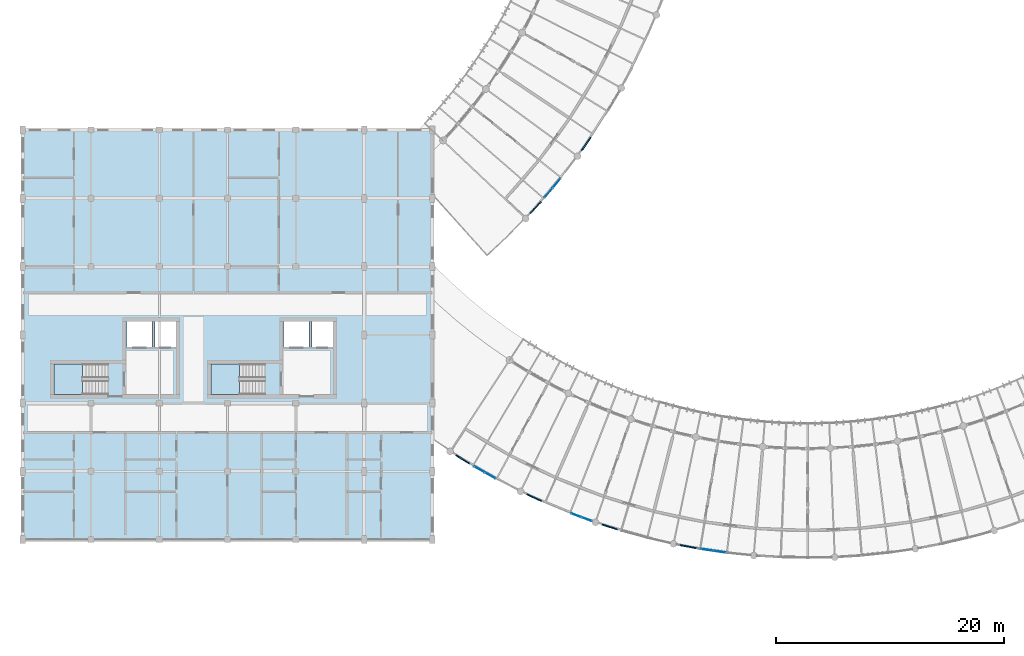
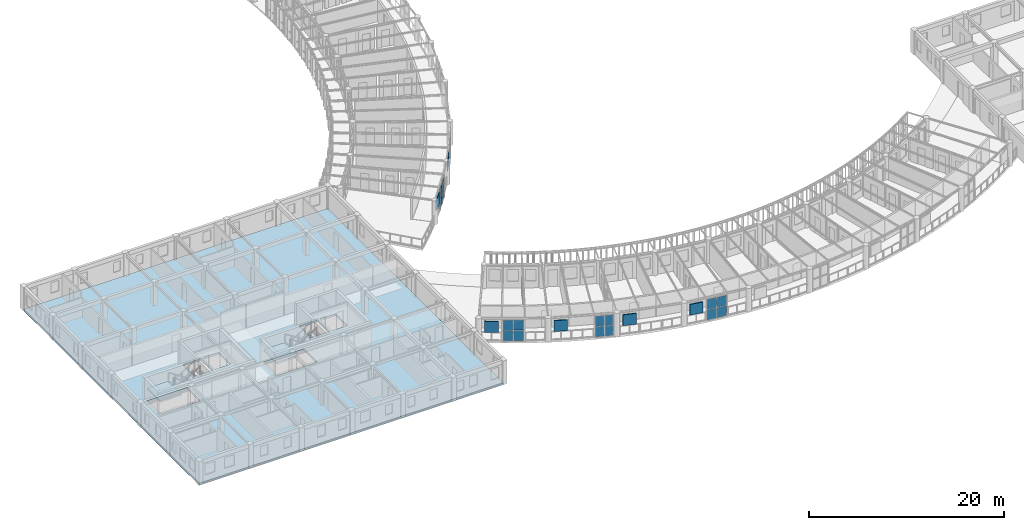
# One storey, part 44 of 101: 22 plates, 3 slabs, 6 elements without a shape of their own.
"""IFC4 building model written with IfcOpenShell, lengths in metres."""

from ifc_helpers import new_model, si_unit, direction, frame, origin, origin_2d, place, context, subcontext, project, spatial, polyline, rectangle, outline, extrude, material, layer, layer_set, type_object, element, aggregate, save


model = new_model("IFC4")

# Units and contexts
model_context = context("Model", 3, precision=1e-05, world=origin(), true_north=direction((0.0, 1.0)))
body_context = subcontext(model_context, "Body", "Model", "MODEL_VIEW")
ifc_project = project(units=[si_unit("LENGTHUNIT", "METRE"), si_unit("AREAUNIT", "SQUARE_METRE"), si_unit("VOLUMEUNIT", "CUBIC_METRE"), si_unit("PLANEANGLEUNIT", "RADIAN"), si_unit("MASSUNIT", "GRAM", prefix="KILO"), si_unit("POWERUNIT", "WATT"), si_unit("THERMODYNAMICTEMPERATUREUNIT", "KELVIN")], contexts=[model_context])

# Site, building, storey
site_placement = place(None, origin())
site = spatial("IfcSite", under=ifc_project, at=site_placement, CompositionType="ELEMENT")
building_placement = place(site_placement, origin())
building = spatial("IfcBuilding", under=site, at=building_placement, Name="Ruvembo Vaulted Housing Court", CompositionType="ELEMENT")
storey_placement = place(building_placement, frame((0.0, 0.0, 17.300048828125)))
storey = spatial("IfcBuildingStorey", under=building, at=storey_placement, Name="L05", CompositionType="ELEMENT", Elevation=17.300048828125)

# Curtain wall, plates
ifc_material_1 = material(Name="Anodised Aluminium and Solar-Control Glass", Category="aluminium")
ifc_layer_1 = layer(ifc_material_1, 0.1201171875, Name="Anodised Aluminium and Solar-Control Glass")
ifc_layer_set_1 = layer_set([ifc_layer_1], Name="Anodised Aluminium and Solar-Control Glass")
curtain_wall_type_1 = type_object("IfcCurtainWallType", Name="CW-SCOOP-GAL", PredefinedType="NOTDEFINED", material=ifc_layer_set_1)
curtain_wall_1_placement = place(storey_placement, origin())
curtain_wall_1 = element("IfcCurtainWall", 1, at=curtain_wall_1_placement, inside=storey, type_object=curtain_wall_type_1, Name="L05 Curtain Wall CW-L05-0054", PredefinedType="NOTDEFINED")
ifc_material_2 = material(Name="Solar-Control Laminated Insulating Glass", Category="glass")
ifc_layer_2 = layer(ifc_material_2, 0.035888671875, Name="Solar-Control Laminated Insulating Glass")
ifc_layer_set_2 = layer_set([ifc_layer_2], Name="Solar-Control Laminated Insulating Glass")
plate_type_1 = type_object("IfcPlateType", Name="CW-PANEL-ACOUST", PredefinedType="CURTAIN_PANEL", material=ifc_layer_set_2)
plate_1_placement = place(storey_placement, frame((48.64013671875, 8.1279296875, 0.06005859375), z_axis=(0.0, 0.0, 1.0), x_axis=(0.939156254439, -0.343490217835, 0.0)))
plate_1 = element("IfcPlate", 2, at=plate_1_placement, type_object=plate_type_1, Name="CW6 panel 1.1", PredefinedType="CURTAIN_PANEL", context=body_context, shape_type="SweptSolid", body=[
    extrude(rectangle(XDim=0.91552734375, YDim=0.035888671875, at=origin_2d()), origin(), (0.0, 0.0, 1.0), 1.2548828125),
])
plate_2_placement = place(storey_placement, frame((48.64013671875, 8.1279296875, 1.375), z_axis=(0.0, 0.0, 1.0), x_axis=(0.939156254439, -0.343490217835, 0.0)))
plate_2 = element("IfcPlate", 3, at=plate_2_placement, type_object=plate_type_1, Name="CW6 panel 1.2", PredefinedType="CURTAIN_PANEL", context=body_context, shape_type="SweptSolid", body=[
    extrude(rectangle(XDim=0.91552734375, YDim=0.035888671875, at=origin_2d()), origin(), (0.0, 0.0, 1.0), 1.2548828125),
])
plate_3_placement = place(storey_placement, frame((49.56103515625, 7.791015625, 0.06005859375), z_axis=(0.0, 0.0, 1.0), x_axis=(0.939156254439, -0.343490217835, 0.0)))
plate_3 = element("IfcPlate", 4, at=plate_3_placement, type_object=plate_type_1, Name="CW6 panel 2.1", PredefinedType="CURTAIN_PANEL", context=body_context, shape_type="SweptSolid", body=[
    extrude(rectangle(XDim=0.91552734375, YDim=0.035888671875, at=origin_2d()), origin(), (0.0, 0.0, 1.0), 1.2548828125),
])
plate_4_placement = place(storey_placement, frame((49.56103515625, 7.791015625, 1.375), z_axis=(0.0, 0.0, 1.0), x_axis=(0.939156254439, -0.343490217835, 0.0)))
plate_4 = element("IfcPlate", 5, at=plate_4_placement, type_object=plate_type_1, Name="CW6 panel 2.2", PredefinedType="CURTAIN_PANEL", context=body_context, shape_type="SweptSolid", body=[
    extrude(rectangle(XDim=0.91552734375, YDim=0.035888671875, at=origin_2d()), origin(), (0.0, 0.0, 1.0), 1.2548828125),
])
aggregate(curtain_wall_1, [plate_1, plate_2, plate_3, plate_4])

curtain_wall_2_placement = place(storey_placement, origin())
curtain_wall_2 = element("IfcCurtainWall", 6, at=curtain_wall_2_placement, inside=storey, type_object=curtain_wall_type_1, Name="L05 Curtain Wall CW-L05-0053", PredefinedType="NOTDEFINED")
ifc_layer_3 = layer(ifc_material_2, 0.028076171875, Name="Solar-Control Laminated Insulating Glass")
ifc_layer_set_3 = layer_set([ifc_layer_3], Name="Solar-Control Laminated Insulating Glass")
plate_type_2 = type_object("IfcPlateType", Name="CW-PANEL-GLAZED", PredefinedType="CURTAIN_PANEL", material=ifc_layer_set_3)
plate_5_placement = place(storey_placement, frame((40.120849609375, 12.173828125, 0.06005859375), z_axis=(0.0, 0.0, 1.0), x_axis=(0.869984489964, -0.493079088202, 0.0)))
plate_5 = element("IfcPlate", 7, at=plate_5_placement, type_object=plate_type_2, Name="CW6 panel 1.1", PredefinedType="CURTAIN_PANEL", context=body_context, shape_type="SweptSolid", body=[
    extrude(rectangle(XDim=1.0478515625, YDim=0.028076171875, at=origin_2d()), origin(), (0.0, 0.0, 1.0), 1.2548828125),
])
plate_6_placement = place(storey_placement, frame((40.120849609375, 12.173828125, 1.375), z_axis=(0.0, 0.0, 1.0), x_axis=(0.869984489964, -0.493079088202, 0.0)))
plate_6 = element("IfcPlate", 8, at=plate_6_placement, type_object=plate_type_2, Name="CW6 panel 1.2", PredefinedType="CURTAIN_PANEL", context=body_context, shape_type="SweptSolid", body=[
    extrude(rectangle(XDim=1.0478515625, YDim=0.028076171875, at=origin_2d()), origin(), (0.0, 0.0, 1.0), 1.2548828125),
])
plate_7_placement = place(storey_placement, frame((41.084716796875, 11.62744140625, 0.06005859375), z_axis=(0.0, 0.0, 1.0), x_axis=(0.869984489964, -0.493079088202, 0.0)))
plate_7 = element("IfcPlate", 9, at=plate_7_placement, type_object=plate_type_2, Name="CW6 panel 2.1", PredefinedType="CURTAIN_PANEL", context=body_context, shape_type="SweptSolid", body=[
    extrude(rectangle(XDim=1.0478515625, YDim=0.028076171875, at=origin_2d()), origin(), (0.0, 0.0, 1.0), 1.2548828125),
])
plate_8_placement = place(storey_placement, frame((41.084716796875, 11.62744140625, 1.375), z_axis=(0.0, 0.0, 1.0), x_axis=(0.869984489964, -0.493079088202, 0.0)))
plate_8 = element("IfcPlate", 10, at=plate_8_placement, type_object=plate_type_2, Name="CW6 panel 2.2", PredefinedType="CURTAIN_PANEL", context=body_context, shape_type="SweptSolid", body=[
    extrude(rectangle(XDim=1.0478515625, YDim=0.028076171875, at=origin_2d()), origin(), (0.0, 0.0, 1.0), 1.2548828125),
])
aggregate(curtain_wall_2, [plate_5, plate_6, plate_7, plate_8])

curtain_wall_3_placement = place(storey_placement, origin())
curtain_wall_3 = element("IfcCurtainWall", 11, at=curtain_wall_3_placement, inside=storey, type_object=curtain_wall_type_1, Name="L05 Curtain Wall CW-L05-0025", PredefinedType="NOTDEFINED")
ifc_layer_4 = layer(ifc_material_2, 0.031982421875, Name="Solar-Control Laminated Insulating Glass")
ifc_layer_set_4 = layer_set([ifc_layer_4], Name="Solar-Control Laminated Insulating Glass")
plate_type_3 = type_object("IfcPlateType", Name="CW-PANEL-SOLAR", PredefinedType="CURTAIN_PANEL", material=ifc_layer_set_4)
plate_9_placement = place(storey_placement, frame((46.207763671875, 36.468994140625, 0.06494140625), z_axis=(0.0, 0.0, 1.0), x_axis=(0.639868943167, 0.768484050303, 0.0)))
plate_9 = element("IfcPlate", 12, at=plate_9_placement, type_object=plate_type_3, Name="CW6 panel 1.1", PredefinedType="CURTAIN_PANEL", context=body_context, shape_type="SweptSolid", body=[
    extrude(rectangle(XDim=1.04833984375, YDim=0.031982421875, at=origin_2d()), origin(), (0.0, 0.0, 1.0), 1.24755859375),
])
plate_10_placement = place(storey_placement, frame((46.207763671875, 36.468994140625, 1.37744140625), z_axis=(0.0, 0.0, 1.0), x_axis=(0.639868943167, 0.768484050303, 0.0)))
plate_10 = element("IfcPlate", 13, at=plate_10_placement, type_object=plate_type_3, Name="CW6 panel 1.2", PredefinedType="CURTAIN_PANEL", context=body_context, shape_type="SweptSolid", body=[
    extrude(rectangle(XDim=1.04833984375, YDim=0.031982421875, at=origin_2d()), origin(), (0.0, 0.0, 1.0), 1.24755859375),
])
plate_11_placement = place(storey_placement, frame((46.9169921875, 37.32080078125, 0.06494140625), z_axis=(0.0, 0.0, 1.0), x_axis=(0.639868943167, 0.768484050303, 0.0)))
plate_11 = element("IfcPlate", 14, at=plate_11_placement, type_object=plate_type_3, Name="CW6 panel 2.1", PredefinedType="CURTAIN_PANEL", context=body_context, shape_type="SweptSolid", body=[
    extrude(rectangle(XDim=1.04833984375, YDim=0.031982421875, at=origin_2d()), origin(), (0.0, 0.0, 1.0), 1.24755859375),
])
plate_12_placement = place(storey_placement, frame((46.9169921875, 37.32080078125, 1.37744140625), z_axis=(0.0, 0.0, 1.0), x_axis=(0.639868943167, 0.768484050303, 0.0)))
plate_12 = element("IfcPlate", 15, at=plate_12_placement, type_object=plate_type_3, Name="CW6 panel 2.2", PredefinedType="CURTAIN_PANEL", context=body_context, shape_type="SweptSolid", body=[
    extrude(rectangle(XDim=1.04833984375, YDim=0.031982421875, at=origin_2d()), origin(), (0.0, 0.0, 1.0), 1.24755859375),
])
aggregate(curtain_wall_3, [plate_9, plate_10, plate_11, plate_12])

ifc_layer_5 = layer(ifc_material_1, 0.139892578125, Name="Anodised Aluminium and Solar-Control Glass")
ifc_layer_set_5 = layer_set([ifc_layer_5], Name="Anodised Aluminium and Solar-Control Glass")
curtain_wall_type_2 = type_object("IfcCurtainWallType", Name="CW-SCOOP-PAN", PredefinedType="NOTDEFINED", material=ifc_layer_set_5)
curtain_wall_4_placement = place(storey_placement, origin())
curtain_wall_4 = element("IfcCurtainWall", 16, at=curtain_wall_4_placement, inside=storey, type_object=curtain_wall_type_2, Name="L05 Curtain Wall CW-L05-0055", PredefinedType="NOTDEFINED")
plate_13_placement = place(storey_placement, frame((60.16455078125, 5.09130859375, 0.06494140625), z_axis=(0.0, 0.0, 1.0), x_axis=(0.989599407362, -0.143850661969, 0.0)))
plate_13 = element("IfcPlate", 17, at=plate_13_placement, type_object=plate_type_3, Name="CW10 panel 1.1", PredefinedType="CURTAIN_PANEL", context=body_context, shape_type="SweptSolid", body=[
    extrude(rectangle(XDim=1.055419921875, YDim=0.031982421875, at=origin_2d()), origin(), (0.0, 0.0, 1.0), 1.24755859375),
])
plate_14_placement = place(storey_placement, frame((60.16455078125, 5.09130859375, 1.37744140625), z_axis=(0.0, 0.0, 1.0), x_axis=(0.989599407362, -0.143850661969, 0.0)))
plate_14 = element("IfcPlate", 18, at=plate_14_placement, type_object=plate_type_3, Name="CW10 panel 1.2", PredefinedType="CURTAIN_PANEL", context=body_context, shape_type="SweptSolid", body=[
    extrude(rectangle(XDim=1.055419921875, YDim=0.031982421875, at=origin_2d()), origin(), (0.0, 0.0, 1.0), 1.24755859375),
])
plate_15_placement = place(storey_placement, frame((61.263427734375, 4.931640625, 0.06494140625), z_axis=(0.0, 0.0, 1.0), x_axis=(0.989599407362, -0.143850661969, 0.0)))
plate_15 = element("IfcPlate", 19, at=plate_15_placement, type_object=plate_type_3, Name="CW10 panel 2.1", PredefinedType="CURTAIN_PANEL", context=body_context, shape_type="SweptSolid", body=[
    extrude(rectangle(XDim=1.055419921875, YDim=0.031982421875, at=origin_2d()), origin(), (0.0, 0.0, 1.0), 1.24755859375),
])
plate_16_placement = place(storey_placement, frame((61.263427734375, 4.931640625, 1.37744140625), z_axis=(0.0, 0.0, 1.0), x_axis=(0.989599407362, -0.143850661969, 0.0)))
plate_16 = element("IfcPlate", 20, at=plate_16_placement, type_object=plate_type_3, Name="CW10 panel 2.2", PredefinedType="CURTAIN_PANEL", context=body_context, shape_type="SweptSolid", body=[
    extrude(rectangle(XDim=1.055419921875, YDim=0.031982421875, at=origin_2d()), origin(), (0.0, 0.0, 1.0), 1.24755859375),
])
aggregate(curtain_wall_4, [plate_13, plate_14, plate_15, plate_16])

# Plates
ifc_material_3 = material(Name="Perforated Glazed Ceramic Cobogo Block", Category="ceramic")
ifc_layer_6 = layer(ifc_material_3, 0.1201171875, Name="Perforated Glazed Ceramic Cobogo Block")
ifc_layer_set_6 = layer_set([ifc_layer_6], Name="Perforated Glazed Ceramic Cobogo Block")
plate_type_4 = type_object("IfcPlateType", Name="PL-COBOGO-120", PredefinedType="USERDEFINED", material=ifc_layer_set_6)
for number, where, z_axis, x_axis, name in (
    (21, (45.0888671875, 35.193115234375, 1.1201171875), (0.0, 0.0, 1.0), (0.670815024682, 0.741624704726, 0.0), "Scoop SC1 L05 Ceramic Cobogo Screen #25"),
    (22, (49.522216796875, 40.769775390625, 1.1201171875), (0.0, 0.0, 1.0), (0.574805323191, 0.818290193288, 0.0), "Scoop SC1 L05 Ceramic Cobogo Screen #26"),
    (23, (38.666748046875, 13.04833984375, 1.1201171875), (0.0, 0.0, 1.0), (0.848888670256, -0.528571684363, 0.0), "Scoop SC2 L05 Ceramic Cobogo Screen #63"),
    (24, (44.94140625, 9.678466796875, 1.1201171875), (0.0, 0.0, 1.0), (0.90764565898, -0.419737248448, 0.0), "Scoop SC2 L05 Ceramic Cobogo Screen #64"),
    (25, (51.58447265625, 7.108642578125, 1.1201171875), (0.0, 0.0, 1.0), (0.952523417345, -0.304465333674, 0.0), "Scoop SC2 L05 Ceramic Cobogo Screen #65"),
    (26, (58.493408203125, 5.378662109375, 1.1201171875), (0.0, 0.0, 1.0), (0.982816353606, -0.184586064165, 0.0), "Scoop SC2 L05 Ceramic Cobogo Screen #66"),
):
    element("IfcPlate", number, at=place(storey_placement, frame(where, z_axis=z_axis, x_axis=x_axis)), inside=storey, type_object=plate_type_4, Name=name, ObjectType="COBOGO_PANEL", PredefinedType="USERDEFINED", context=body_context, shape_type="SweptSolid", body=[
        extrude(rectangle(XDim=1.39990234375, YDim=0.1201171875, at=origin_2d()), origin(), (0.0, 0.0, 1.0), 1.360107421875),
    ])

# Slab
ifc_material_4 = material(Name="Concrete C30/37", Category="concrete")
ifc_layer_7 = layer(ifc_material_4, 0.25, Name="Concrete C30/37")
ifc_layer_set_7 = layer_set([ifc_layer_7], Name="Concrete C30/37")
slab_type_1 = type_object("IfcSlabType", Name="SL-FLR-250", PredefinedType="FLOOR", material=ifc_layer_set_7)
slab_1_placement = place(storey_placement, frame((0.0, 0.0, -0.25)))
element("IfcSlab", 27, at=slab_1_placement, inside=storey, type_object=slab_type_1, Name="Block A L05 Structural Floor Slab", PredefinedType="FLOOR", context=body_context, shape_type="SweptSolid", body=[
    extrude(outline(polyline([(36.0, 6.0), (36.0, 42.0), (0.0, 42.0), (0.0, 6.0), (36.0, 6.0)]), holes=[polyline([(7.5, 21.449951171875), (2.75, 21.449951171875), (2.75, 18.75), (7.5, 18.75), (7.5, 21.449951171875)]), polyline([(9.14990234375, 22.85009765625), (11.35009765625, 22.85009765625), (11.35009765625, 25.25), (9.14990234375, 25.25), (9.14990234375, 22.85009765625)]), polyline([(11.60009765625, 22.85009765625), (13.449951171875, 22.85009765625), (13.449951171875, 25.25), (11.60009765625, 25.25), (11.60009765625, 22.85009765625)]), polyline([(21.300048828125, 21.449951171875), (16.550048828125, 21.449951171875), (16.550048828125, 18.75), (21.300048828125, 18.75), (21.300048828125, 21.449951171875)]), polyline([(22.949951171875, 22.85009765625), (25.14990234375, 22.85009765625), (25.14990234375, 25.25), (22.949951171875, 25.25), (22.949951171875, 22.85009765625)]), polyline([(25.39990234375, 22.85009765625), (27.25, 22.85009765625), (27.25, 25.25), (25.39990234375, 25.25), (25.39990234375, 22.85009765625)])]), origin(), (0.0, 0.0, 1.0), 0.25),
])

# Stair, slab
ifc_material_5 = material(Name="Concrete C35/45", Category="concrete")
stair_type = type_object("IfcStairType", Name="STR-CORE-1250", PredefinedType="HALF_TURN_STAIR", material=ifc_material_5)
stair_1_placement = place(storey_placement, origin())
stair_1 = element("IfcStair", 28, at=stair_1_placement, inside=storey, type_object=stair_type, Name="L05 Protected Exit Stair ST-A1", PredefinedType="HALF_TURN_STAIR")
ifc_layer_8 = layer(ifc_material_4, 0.201904296875, Name="Concrete C30/37")
ifc_layer_set_8 = layer_set([ifc_layer_8], Name="Concrete C30/37")
slab_type_2 = type_object("IfcSlabType", Name="SL-LAND-202", PredefinedType="LANDING", material=ifc_layer_set_8)
slab_2_placement = place(storey_placement, frame((0.0, 0.0, 1.39990234375)))
slab_2 = element("IfcSlab", 29, at=slab_2_placement, type_object=slab_type_2, Name="ST-A1 landing 1", PredefinedType="LANDING", context=body_context, shape_type="SweptSolid", body=[
    extrude(outline(polyline([(5.260009765625, 21.449951171875), (2.75, 21.449951171875), (2.75, 18.75), (5.260009765625, 18.75), (5.260009765625, 21.449951171875)])), origin(), (0.0, 0.0, 1.0), 0.199951171875),
])
aggregate(stair_1, [slab_2])

stair_2_placement = place(storey_placement, origin())
stair_2 = element("IfcStair", 30, at=stair_2_placement, inside=storey, type_object=stair_type, Name="L05 Protected Exit Stair ST-A2", PredefinedType="HALF_TURN_STAIR")
slab_3_placement = place(storey_placement, frame((0.0, 0.0, 1.39990234375)))
slab_3 = element("IfcSlab", 31, at=slab_3_placement, type_object=slab_type_2, Name="ST-A2 landing 1", PredefinedType="LANDING", context=body_context, shape_type="SweptSolid", body=[
    extrude(outline(polyline([(19.06005859375, 21.449951171875), (16.550048828125, 21.449951171875), (16.550048828125, 18.75), (19.06005859375, 18.75), (19.06005859375, 21.449951171875)])), origin(), (0.0, 0.0, 1.0), 0.199951171875),
])
aggregate(stair_2, [slab_3])

save(model, "model.ifc")
